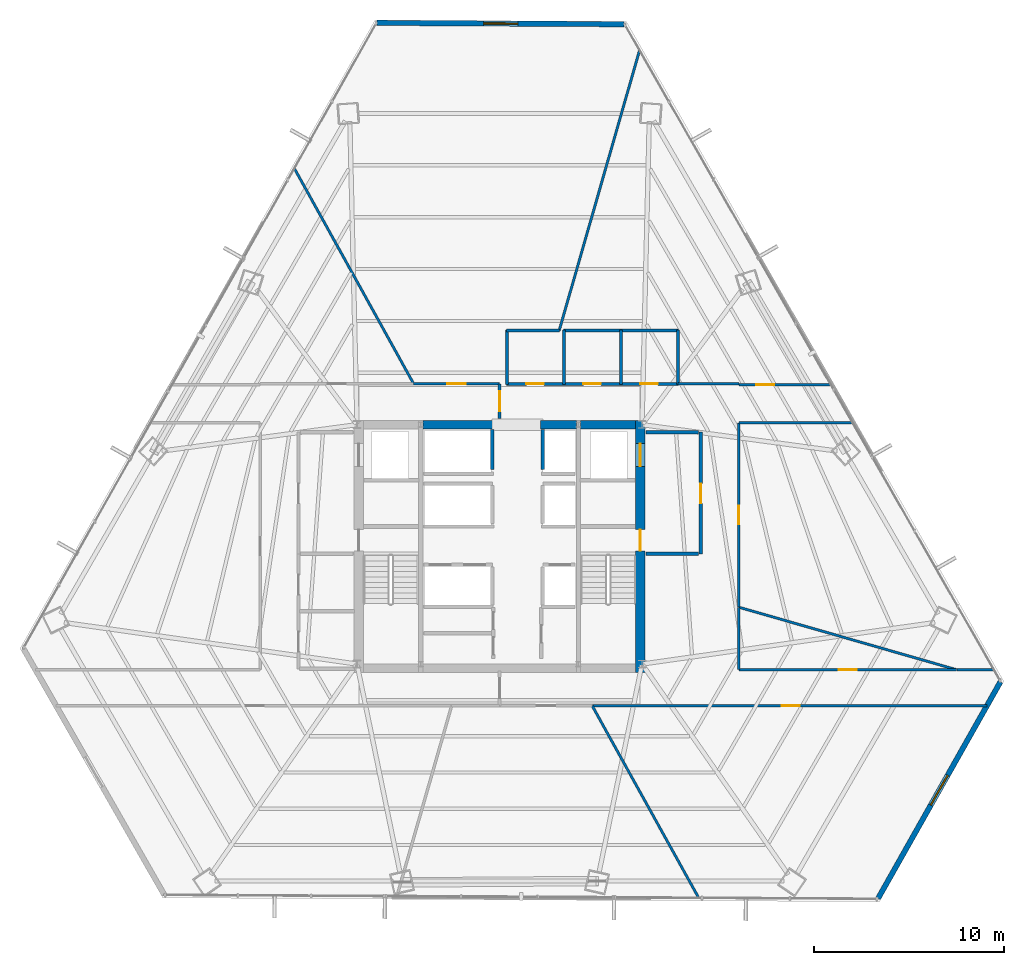
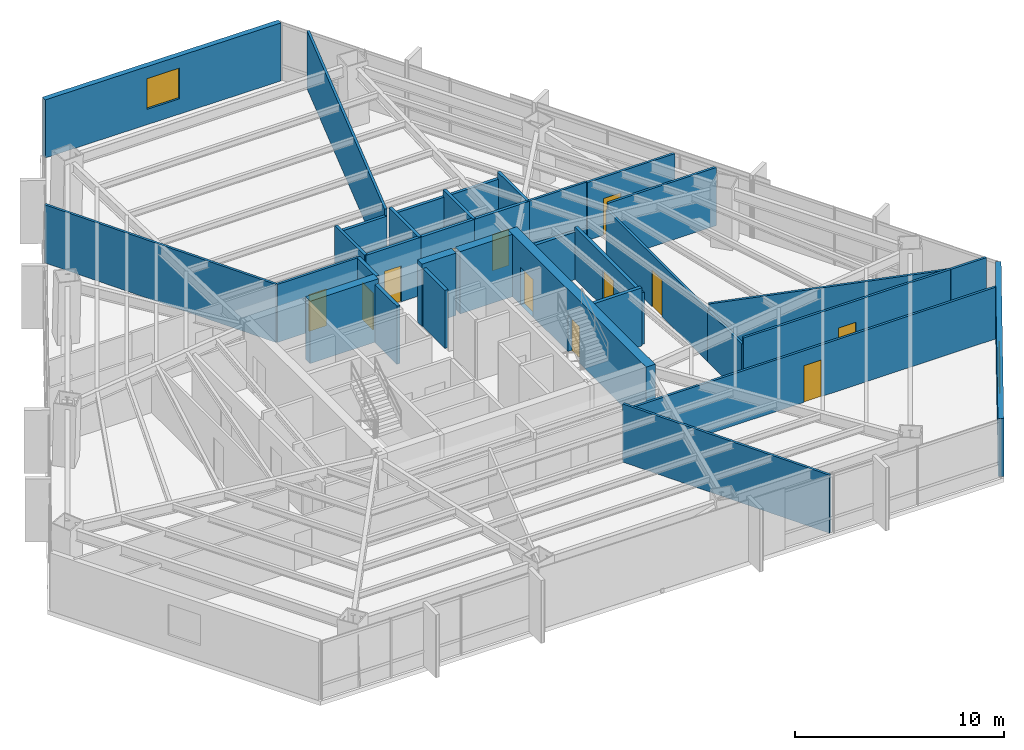
# One storey, part 32 of 36: 35 walls, 12 doors, 2 windows, 14 openings.
"""IFC4 building model written with IfcOpenShell, lengths in metres."""

from ifc_helpers import new_model, si_unit, direction, frame, frame_2d, origin, place, context, subcontext, project, spatial, rectangle, extrude, material, layer, layer_set, type_object, element, fill, save


model = new_model("IFC4")

# Units and contexts
model_context = context("Model", 3, precision=1e-05, world=origin(), true_north=direction((0.0, 1.0)))
body_context = subcontext(model_context, "Body", "Model", "MODEL_VIEW")
ifc_project = project(units=[si_unit("LENGTHUNIT", "METRE"), si_unit("AREAUNIT", "SQUARE_METRE"), si_unit("VOLUMEUNIT", "CUBIC_METRE"), si_unit("PLANEANGLEUNIT", "RADIAN"), si_unit("MASSUNIT", "GRAM", prefix="KILO")], contexts=[model_context])

# Site, building, storey
site_placement = place(None, origin())
site = spatial("IfcSite", under=ifc_project, at=site_placement, CompositionType="ELEMENT")
building_placement = place(site_placement, origin())
building = spatial("IfcBuilding", under=site, at=building_placement, Name="Caelisora Broadcast Tower", CompositionType="ELEMENT")
storey_placement = place(building_placement, frame((0.0, 0.0, 83.5)))
storey = spatial("IfcBuildingStorey", under=building, at=storey_placement, Name="L21", CompositionType="ELEMENT", Elevation=83.5)

# Wall, openings, doors
ifc_material_1 = material(Name="Concrete 50 MPa (AS 3600 S50)", Category="concrete")
ifc_layer_1 = layer(ifc_material_1, 0.5, Name="Concrete 50 MPa (AS 3600 S50)")
ifc_layer_set_1 = layer_set([ifc_layer_1], Name="Concrete 50 MPa (AS 3600 S50)")
wall_type_1 = type_object("IfcWallType", Name="CW2", PredefinedType="SHEAR", material=ifc_layer_set_1)
wall_1_placement = place(storey_placement, frame((45.409912109375, 16.949951171875, 0.0), z_axis=(0.0, 0.0, 1.0), x_axis=(0.0, 1.0, 0.0)))
wall_1 = element("IfcWall", 1, at=wall_1_placement, inside=storey, type_object=wall_type_1, Name="L21 core shear wall CW2", PredefinedType="SHEAR", context=body_context, shape_type="SweptSolid", body=[
    extrude(rectangle(XDim=13.275146484375, YDim=0.5, at=frame_2d((6.6376953125, 0.0))), origin(), (0.0, 0.0, 1.0), 3.64990234375),
])
opening_1_placement = place(wall_1_placement, frame((6.39990234375, 0.0, 0.0)))
opening_1 = element("IfcOpeningElement", 2, at=opening_1_placement, cuts=wall_1, Name="Opening FD04", PredefinedType="OPENING", context=body_context, shape_type="SweptSolid", body=[
    extrude(rectangle(XDim=1.1201171875, YDim=2.14990234375, at=frame_2d((0.56005859375, 1.074951171875))), frame((0.0, 0.261962890625, 0.0), z_axis=(0.0, -1.0, 0.0), x_axis=(1.0, 0.0, 0.0)), (0.0, 0.0, 1.0), 0.52392578125),
])
opening_2_placement = place(wall_1_placement, frame((10.85009765625, 0.0, 0.0)))
opening_2 = element("IfcOpeningElement", 3, at=opening_2_placement, cuts=wall_1, Name="Opening LD04", PredefinedType="OPENING", context=body_context, shape_type="SweptSolid", body=[
    extrude(rectangle(XDim=1.199951171875, YDim=2.199951171875, at=frame_2d((0.60009765625, 1.10009765625))), frame((0.0, 0.261962890625, 0.0), z_axis=(0.0, -1.0, 0.0), x_axis=(1.0, 0.0, 0.0)), (0.0, 0.0, 1.0), 0.52392578125),
])
ifc_material_2 = material(Name="Pressurised Fire-Isolated Stair Door", Category="steel")
door_type_1 = type_object("IfcDoorType", Name="FD04", OperationType="NOTDEFINED", PredefinedType="DOOR", material=ifc_material_2)
door_1_placement = place(opening_1_placement, origin())
door_1 = element("IfcDoor", 4, at=door_1_placement, inside=storey, type_object=door_type_1, Name="L21 door FD04 (L21-DR-ST2)", OperationType="SINGLE_SWING_RIGHT", OverallHeight=2.14990234375, OverallWidth=1.1201171875, PredefinedType="DOOR", context=body_context, shape_type="SweptSolid", body=[
    extrude(rectangle(XDim=1.1201171875, YDim=2.14990234375, at=frame_2d((0.56005859375, 1.074951171875))), frame((0.0, 0.02490234375, 0.0), z_axis=(0.0, -1.0, 0.0), x_axis=(1.0, 0.0, 0.0)), (0.0, 0.0, 1.0), 0.050048828125),
])
fill(opening_1, door_1)
ifc_material_3 = material(Name="Emergency Firefighting Lift Sliding Landing Door", Category="steel")
door_type_2 = type_object("IfcDoorType", Name="LD04", OperationType="NOTDEFINED", PredefinedType="DOOR", material=ifc_material_3)
door_2_placement = place(opening_2_placement, origin())
door_2 = element("IfcDoor", 5, at=door_2_placement, inside=storey, type_object=door_type_2, Name="L21 door LD04 (L21-LD-FFL2)", OperationType="SLIDING_TO_RIGHT", OverallHeight=2.199951171875, OverallWidth=1.199951171875, PredefinedType="DOOR", context=body_context, shape_type="SweptSolid", body=[
    extrude(rectangle(XDim=1.199951171875, YDim=2.199951171875, at=frame_2d((0.60009765625, 1.10009765625))), frame((0.0, 0.02490234375, 0.0), z_axis=(0.0, -1.0, 0.0), x_axis=(1.0, 0.0, 0.0)), (0.0, 0.0, 1.0), 0.050048828125),
])
fill(opening_2, door_2)

# Walls
ifc_layer_2 = layer(ifc_material_1, 0.449951171875, Name="Concrete 50 MPa (AS 3600 S50)")
ifc_layer_set_2 = layer_set([ifc_layer_2], Name="Concrete 50 MPa (AS 3600 S50)")
wall_type_2 = type_object("IfcWallType", Name="CW5", PredefinedType="SHEAR", material=ifc_layer_set_2)
wall_2_placement = place(storey_placement, frame((33.9599609375, 30.0, 0.0), z_axis=(0.0, 0.0, 1.0), x_axis=(1.0, 0.0, 0.0)))
element("IfcWall", 6, at=wall_2_placement, inside=storey, type_object=wall_type_2, Name="L21 core shear wall CW5", PredefinedType="SHEAR", context=body_context, shape_type="SweptSolid", body=[
    extrude(rectangle(XDim=3.780029296875, YDim=0.449951171875, at=frame_2d((1.89013671875, 0.0))), origin(), (0.0, 0.0, 1.0), 3.64990234375),
])
wall_3_placement = place(storey_placement, frame((40.159912109375, 30.0, 0.0), z_axis=(0.0, 0.0, 1.0), x_axis=(1.0, 0.0, 0.0)))
element("IfcWall", 7, at=wall_3_placement, inside=storey, type_object=wall_type_2, Name="L21 core shear wall CW5", PredefinedType="SHEAR", context=body_context, shape_type="SweptSolid", body=[
    extrude(rectangle(XDim=1.880126953125, YDim=0.449951171875, at=frame_2d((0.93994140625, 0.0))), origin(), (0.0, 0.0, 1.0), 3.64990234375),
])
wall_4_placement = place(storey_placement, frame((42.260009765625, 30.0, 0.0), z_axis=(0.0, 0.0, 1.0), x_axis=(1.0, 0.0, 0.0)))
element("IfcWall", 8, at=wall_4_placement, inside=storey, type_object=wall_type_2, Name="L21 core shear wall CW5", PredefinedType="SHEAR", context=body_context, shape_type="SweptSolid", body=[
    extrude(rectangle(XDim=2.89990234375, YDim=0.449951171875, at=frame_2d((1.449951171875, 0.0))), origin(), (0.0, 0.0, 1.0), 3.64990234375),
])

# Wall, opening, window
ifc_material_4 = material(Name="Insulated Terracotta Spandrel Wall System", Category="masonry")
ifc_layer_3 = layer(ifc_material_4, 0.280029296875, Name="Insulated Terracotta Spandrel Wall System")
ifc_layer_set_3 = layer_set([ifc_layer_3], Name="Insulated Terracotta Spandrel Wall System")
wall_type_3 = type_object("IfcWallType", Name="EW1", PredefinedType="STANDARD", material=ifc_layer_set_3)
wall_5_placement = place(storey_placement, frame((64.3623046875, 16.4638671875, 0.0), z_axis=(0.0, 0.0, 1.0), x_axis=(-0.491738955239, -0.87074267146, 0.0)))
wall_5 = element("IfcWall", 9, at=wall_5_placement, inside=storey, type_object=wall_type_3, Name="L21 exterior envelope wall EW1", PredefinedType="STANDARD", context=body_context, shape_type="SweptSolid", body=[
    extrude(rectangle(XDim=13.09326171875, YDim=0.280029296875, at=frame_2d((6.546630859375, 0.0))), origin(), (0.0, 0.0, 1.0), 3.39990234375),
])
opening_3_placement = place(wall_5_placement, frame((5.64990234375, 0.0, 0.89990234375)))
opening_3 = element("IfcOpeningElement", 10, at=opening_3_placement, cuts=wall_5, Name="Opening W01", PredefinedType="OPENING", context=body_context, shape_type="SweptSolid", body=[
    extrude(rectangle(XDim=1.800048828125, YDim=1.800048828125, at=frame_2d((0.89990234375, 0.89990234375))), frame((0.0, 0.152099609375, 0.0), z_axis=(0.0, -1.0, 0.0), x_axis=(1.0, 0.0, 0.0)), (0.0, 0.0, 1.0), 0.303955078125),
])
ifc_material_5 = material(Name="Double Glazed Terracotta-Framed Vision Window", Category="glass")
window_type = type_object("IfcWindowType", Name="W01", PartitioningType="SINGLE_PANEL", PredefinedType="WINDOW", material=ifc_material_5)
window_1_placement = place(opening_3_placement, origin())
window_1 = element("IfcWindow", 11, at=window_1_placement, inside=storey, type_object=window_type, Name="L21 window W01 (L21-WN-CH0)", OverallHeight=1.800048828125, OverallWidth=1.800048828125, PartitioningType="SINGLE_PANEL", PredefinedType="WINDOW", context=body_context, shape_type="SweptSolid", body=[
    extrude(rectangle(XDim=1.800048828125, YDim=1.800048828125, at=frame_2d((0.89990234375, 0.89990234375))), frame((0.0, 0.030029296875, 0.0), z_axis=(0.0, -1.0, 0.0), x_axis=(1.0, 0.0, 0.0)), (0.0, 0.0, 1.0), 0.06005859375),
])
fill(opening_3, window_1)

wall_6_placement = place(storey_placement, frame((31.56298828125, 51.145751953125, 0.0), z_axis=(0.0, 0.0, 1.0), x_axis=(0.999984442801, -0.005578006527, 0.0)))
wall_6 = element("IfcWall", 12, at=wall_6_placement, inside=storey, type_object=wall_type_3, Name="L21 exterior envelope wall EW1", PredefinedType="STANDARD", context=body_context, shape_type="SweptSolid", body=[
    extrude(rectangle(XDim=12.999267578125, YDim=0.280029296875, at=frame_2d((6.49951171875, 0.0))), origin(), (0.0, 0.0, 1.0), 3.39990234375),
])
opening_4_placement = place(wall_6_placement, frame((5.60009765625, 0.0, 0.89990234375)))
opening_4 = element("IfcOpeningElement", 13, at=opening_4_placement, cuts=wall_6, Name="Opening W01", PredefinedType="OPENING", context=body_context, shape_type="SweptSolid", body=[
    extrude(rectangle(XDim=1.800048828125, YDim=1.800048828125, at=frame_2d((0.89990234375, 0.89990234375))), frame((0.0, 0.152099609375, 0.0), z_axis=(0.0, -1.0, 0.0), x_axis=(1.0, 0.0, 0.0)), (0.0, 0.0, 1.0), 0.303955078125),
])
window_2_placement = place(opening_4_placement, origin())
window_2 = element("IfcWindow", 14, at=window_2_placement, inside=storey, type_object=window_type, Name="L21 window W01 (L21-WN-CH8)", OverallHeight=1.800048828125, OverallWidth=1.800048828125, PartitioningType="SINGLE_PANEL", PredefinedType="WINDOW", context=body_context, shape_type="SweptSolid", body=[
    extrude(rectangle(XDim=1.800048828125, YDim=1.800048828125, at=frame_2d((0.89990234375, 0.89990234375))), frame((0.0, 0.030029296875, 0.0), z_axis=(0.0, -1.0, 0.0), x_axis=(1.0, 0.0, 0.0)), (0.0, 0.0, 1.0), 0.06005859375),
])
fill(opening_4, window_2)

# Walls
ifc_material_6 = material(Name="Fire-Rated Gypsum Shaft and Compartment Wall", Category="gypsum")
ifc_layer_4 = layer(ifc_material_6, 0.179931640625, Name="Fire-Rated Gypsum Shaft and Compartment Wall")
ifc_layer_set_4 = layer_set([ifc_layer_4], Name="Fire-Rated Gypsum Shaft and Compartment Wall")
wall_type_4 = type_object("IfcWallType", Name="PW2", PredefinedType="PARTITIONING", material=ifc_layer_set_4)
for number, where, z_axis, x_axis, name in (
    (15, (37.6201171875, 27.639892578125, 0.0), (0.0, 0.0, 1.0), (0.0, 1.0, 0.0), "L21 fire compartment wall PW2"),
    (16, (40.280029296875, 27.639892578125, 0.0), (0.0, 0.0, 1.0), (0.0, 1.0, 0.0), "L21 fire compartment wall PW2"),
):
    element("IfcWall", number, at=place(storey_placement, frame(where, z_axis=z_axis, x_axis=x_axis)), inside=storey, type_object=wall_type_4, Name=name, PredefinedType="PARTITIONING", context=body_context, shape_type="SweptSolid", body=[
        extrude(rectangle(XDim=2.110107421875, YDim=0.179931640625, at=frame_2d((1.05517578125, 0.0))), origin(), (0.0, 0.0, 1.0), 3.39990234375),
    ])

# Wall, opening, door
wall_7_placement = place(storey_placement, frame((48.580078125, 23.199951171875, 0.0), z_axis=(0.0, 0.0, 1.0), x_axis=(0.0, 1.0, 0.0)))
wall_7 = element("IfcWall", 17, at=wall_7_placement, inside=storey, type_object=wall_type_4, Name="L21 fire compartment wall PW2", PredefinedType="PARTITIONING", context=body_context, shape_type="SweptSolid", body=[
    extrude(rectangle(XDim=6.400146484375, YDim=0.179931640625, at=frame_2d((3.2001953125, 0.0))), origin(), (0.0, 0.0, 1.0), 3.0263671875),
])
opening_5_placement = place(wall_7_placement, frame((2.64990234375, 0.0, 0.0)))
opening_5 = element("IfcOpeningElement", 18, at=opening_5_placement, cuts=wall_7, Name="Opening FD02", PredefinedType="OPENING", context=body_context, shape_type="SweptSolid", body=[
    extrude(rectangle(XDim=1.050048828125, YDim=2.14990234375, at=frame_2d((0.52490234375, 1.074951171875))), frame((0.0, 0.10205078125, 0.0), z_axis=(0.0, -1.0, 0.0), x_axis=(1.0, 0.0, 0.0)), (0.0, 0.0, 1.0), 0.203857421875),
])
ifc_material_7 = material(Name="Single-Leaf Steel Fire Lobby Door", Category="steel")
door_type_3 = type_object("IfcDoorType", Name="FD02", OperationType="NOTDEFINED", PredefinedType="DOOR", material=ifc_material_7)
door_3_placement = place(opening_5_placement, origin())
door_3 = element("IfcDoor", 19, at=door_3_placement, inside=storey, type_object=door_type_3, Name="L21 door FD02 (L21-DR-P04D1)", OperationType="SINGLE_SWING_LEFT", OverallHeight=2.14990234375, OverallWidth=1.050048828125, PredefinedType="DOOR", context=body_context, shape_type="SweptSolid", body=[
    extrude(rectangle(XDim=1.050048828125, YDim=2.14990234375, at=frame_2d((0.52490234375, 1.074951171875))), frame((0.0, 0.02490234375, 0.0), z_axis=(0.0, -1.0, 0.0), x_axis=(1.0, 0.0, 0.0)), (0.0, 0.0, 1.0), 0.050048828125),
])
fill(opening_5, door_3)

# Walls
wall_8_placement = place(storey_placement, frame((45.719970703125, 23.199951171875, 0.0), z_axis=(0.0, 0.0, 1.0), x_axis=(1.0, 0.0, 0.0)))
element("IfcWall", 20, at=wall_8_placement, inside=storey, type_object=wall_type_4, Name="L21 fire compartment wall PW2", PredefinedType="PARTITIONING", context=body_context, shape_type="SweptSolid", body=[
    extrude(rectangle(XDim=2.760009765625, YDim=0.179931640625, at=frame_2d((1.3798828125, 0.0))), origin(), (0.0, 0.0, 1.0), 3.39990234375),
])
wall_9_placement = place(storey_placement, frame((45.719970703125, 29.60009765625, 0.0), z_axis=(0.0, 0.0, 1.0), x_axis=(1.0, 0.0, 0.0)))
element("IfcWall", 21, at=wall_9_placement, inside=storey, type_object=wall_type_4, Name="L21 fire compartment wall PW2", PredefinedType="PARTITIONING", context=body_context, shape_type="SweptSolid", body=[
    extrude(rectangle(XDim=2.760009765625, YDim=0.179931640625, at=frame_2d((1.3798828125, 0.0))), origin(), (0.0, 0.0, 1.0), 2.78271484375),
])

# Wall, opening, door
wall_10_placement = place(storey_placement, frame((38.0, 30.320068359375, 0.0), z_axis=(0.0, 0.0, 1.0), x_axis=(0.0, 1.0, 0.0)))
wall_10 = element("IfcWall", 22, at=wall_10_placement, inside=storey, type_object=wall_type_4, Name="L21 fire compartment wall PW2", PredefinedType="PARTITIONING", context=body_context, shape_type="SweptSolid", body=[
    extrude(rectangle(XDim=1.824951171875, YDim=0.179931640625, at=frame_2d((0.91259765625, 0.0))), origin(), (0.0, 0.0, 1.0), 3.39990234375),
])
opening_6_placement = place(wall_10_placement, frame((0.387939453125, 0.0, 0.0)))
opening_6 = element("IfcOpeningElement", 23, at=opening_6_placement, cuts=wall_10, Name="Opening FD02", PredefinedType="OPENING", context=body_context, shape_type="SweptSolid", body=[
    extrude(rectangle(XDim=1.050048828125, YDim=2.14990234375, at=frame_2d((0.52490234375, 1.074951171875))), frame((0.0, 0.10205078125, 0.0), z_axis=(0.0, -1.0, 0.0), x_axis=(1.0, 0.0, 0.0)), (0.0, 0.0, 1.0), 0.203857421875),
])
door_4_placement = place(opening_6_placement, origin())
door_4 = element("IfcDoor", 24, at=door_4_placement, inside=storey, type_object=door_type_3, Name="L21 door FD02 (L21-DR-P50D1)", OperationType="SINGLE_SWING_RIGHT", OverallHeight=2.14990234375, OverallWidth=1.050048828125, PredefinedType="DOOR", context=body_context, shape_type="SweptSolid", body=[
    extrude(rectangle(XDim=1.050048828125, YDim=2.14990234375, at=frame_2d((0.52490234375, 1.074951171875))), frame((0.0, 0.02490234375, 0.0), z_axis=(0.0, -1.0, 0.0), x_axis=(1.0, 0.0, 0.0)), (0.0, 0.0, 1.0), 0.050048828125),
])
fill(opening_6, door_4)

ifc_material_8 = material(Name="Acoustic Steel-Stud Plasterboard Partition", Category="gypsum")
ifc_layer_5 = layer(ifc_material_8, 0.1298828125, Name="Acoustic Steel-Stud Plasterboard Partition")
ifc_layer_set_5 = layer_set([ifc_layer_5], Name="Acoustic Steel-Stud Plasterboard Partition")
wall_type_5 = type_object("IfcWallType", Name="PW3", PredefinedType="PARTITIONING", material=ifc_layer_set_5)
wall_11_placement = place(storey_placement, frame((42.885009765625, 15.199951171875, 0.0), z_axis=(0.0, 0.0, 1.0), x_axis=(1.0, 0.0, 0.0)))
wall_11 = element("IfcWall", 25, at=wall_11_placement, inside=storey, type_object=wall_type_5, Name="L21 internal partition PW3", PredefinedType="PARTITIONING", context=body_context, shape_type="SweptSolid", body=[
    extrude(rectangle(XDim=20.769775390625, YDim=0.1298828125, at=frame_2d((10.384765625, 0.0))), origin(), (0.0, 0.0, 1.0), 3.0263671875),
])
opening_7_placement = place(wall_11_placement, frame((9.95703125, 0.0, 0.0)))
opening_7 = element("IfcOpeningElement", 26, at=opening_7_placement, cuts=wall_11, Name="Opening D01", PredefinedType="OPENING", context=body_context, shape_type="SweptSolid", body=[
    extrude(rectangle(XDim=0.9599609375, YDim=2.14990234375, at=frame_2d((0.47998046875, 1.074951171875))), frame((0.0, 0.076904296875, 0.0), z_axis=(0.0, -1.0, 0.0), x_axis=(1.0, 0.0, 0.0)), (0.0, 0.0, 1.0), 0.15380859375),
])
ifc_material_9 = material(Name="Solid-Core Timber Acoustic Office Door", Category="wood")
door_type_4 = type_object("IfcDoorType", Name="D01", OperationType="NOTDEFINED", PredefinedType="DOOR", material=ifc_material_9)
door_5_placement = place(opening_7_placement, origin())
door_5 = element("IfcDoor", 27, at=door_5_placement, inside=storey, type_object=door_type_4, Name="L21 door D01 (L21-DR-P28D1)", OperationType="SINGLE_SWING_LEFT", OverallHeight=2.14990234375, OverallWidth=0.9599609375, PredefinedType="DOOR", context=body_context, shape_type="SweptSolid", body=[
    extrude(rectangle(XDim=0.9599609375, YDim=2.14990234375, at=frame_2d((0.47998046875, 1.074951171875))), frame((0.0, 0.02490234375, 0.0), z_axis=(0.0, -1.0, 0.0), x_axis=(1.0, 0.0, 0.0)), (0.0, 0.0, 1.0), 0.050048828125),
])
fill(opening_7, door_5)

# Walls
wall_12_placement = place(storey_placement, frame((41.14111328125, 34.955078125, 0.0), z_axis=(0.0, 0.0, 1.0), x_axis=(0.27567644494, 0.961250486453, 0.0)))
element("IfcWall", 28, at=wall_12_placement, inside=storey, type_object=wall_type_5, Name="L21 internal partition PW3", PredefinedType="PARTITIONING", context=body_context, shape_type="SweptSolid", body=[
    extrude(rectangle(XDim=15.35546875, YDim=0.1298828125, at=frame_2d((7.677734375, 0.0))), origin(), (0.0, 0.0, 1.0), 3.39990234375),
])
wall_13_placement = place(storey_placement, frame((27.20166015625, 43.48681640625, 0.0), z_axis=(0.0, 0.0, 1.0), x_axis=(0.484485627927, -0.874799220583, 0.0)))
element("IfcWall", 29, at=wall_13_placement, inside=storey, type_object=wall_type_5, Name="L21 internal partition PW3", PredefinedType="PARTITIONING", context=body_context, shape_type="SweptSolid", body=[
    extrude(rectangle(XDim=12.95458984375, YDim=0.1298828125, at=frame_2d((6.477294921875, 0.0))), origin(), (0.0, 0.0, 1.0), 3.39990234375),
])
wall_14_placement = place(storey_placement, frame((50.60498046875, 20.388916015625, 0.0), z_axis=(0.0, 0.0, 1.0), x_axis=(0.961158846522, -0.27599578213, 0.0)))
element("IfcWall", 30, at=wall_14_placement, inside=storey, type_object=wall_type_5, Name="L21 internal partition PW3", PredefinedType="PARTITIONING", context=body_context, shape_type="SweptSolid", body=[
    extrude(rectangle(XDim=11.91259765625, YDim=0.1298828125, at=frame_2d((5.956298828125, 0.0))), origin(), (0.0, 0.0, 1.0), 3.39990234375),
])
wall_15_placement = place(storey_placement, frame((42.882080078125, 15.196044921875, 0.0), z_axis=(0.0, 0.0, 1.0), x_axis=(0.484852065394, -0.874596178063, 0.0)))
element("IfcWall", 31, at=wall_15_placement, inside=storey, type_object=wall_type_5, Name="L21 internal partition PW3", PredefinedType="PARTITIONING", context=body_context, shape_type="SweptSolid", body=[
    extrude(rectangle(XDim=11.561767578125, YDim=0.1298828125, at=frame_2d((5.78076171875, 0.0))), origin(), (0.0, 0.0, 1.0), 3.39990234375),
])

# Wall, opening, door
wall_16_placement = place(storey_placement, frame((62.054931640625, 17.10009765625, 0.0), z_axis=(0.0, 0.0, 1.0), x_axis=(-1.0, 0.0, 0.0)))
wall_16 = element("IfcWall", 32, at=wall_16_placement, inside=storey, type_object=wall_type_5, Name="L21 internal partition PW3", PredefinedType="PARTITIONING", context=body_context, shape_type="SweptSolid", body=[
    extrude(rectangle(XDim=11.449951171875, YDim=0.1298828125, at=frame_2d((5.72509765625, 0.0))), origin(), (0.0, 0.0, 1.0), 3.39990234375),
])
opening_8_placement = place(wall_16_placement, frame((5.2451171875, 0.0, 0.0)))
opening_8 = element("IfcOpeningElement", 33, at=opening_8_placement, cuts=wall_16, Name="Opening D01", PredefinedType="OPENING", context=body_context, shape_type="SweptSolid", body=[
    extrude(rectangle(XDim=0.9599609375, YDim=2.14990234375, at=frame_2d((0.47998046875, 1.074951171875))), frame((0.0, 0.076904296875, 0.0), z_axis=(0.0, -1.0, 0.0), x_axis=(1.0, 0.0, 0.0)), (0.0, 0.0, 1.0), 0.15380859375),
])
door_6_placement = place(opening_8_placement, origin())
door_6 = element("IfcDoor", 34, at=door_6_placement, inside=storey, type_object=door_type_4, Name="L21 door D01 (L21-DR-P35D1)", OperationType="SINGLE_SWING_LEFT", OverallHeight=2.14990234375, OverallWidth=0.9599609375, PredefinedType="DOOR", context=body_context, shape_type="SweptSolid", body=[
    extrude(rectangle(XDim=0.9599609375, YDim=2.14990234375, at=frame_2d((0.47998046875, 1.074951171875))), frame((0.0, 0.02490234375, 0.0), z_axis=(0.0, -1.0, 0.0), x_axis=(1.0, 0.0, 0.0)), (0.0, 0.0, 1.0), 0.050048828125),
])
fill(opening_8, door_6)

wall_17_placement = place(storey_placement, frame((50.60009765625, 20.39501953125, 0.0), z_axis=(0.0, 0.0, 1.0), x_axis=(0.0, 1.0, 0.0)))
wall_17 = element("IfcWall", 35, at=wall_17_placement, inside=storey, type_object=wall_type_5, Name="L21 internal partition PW3", PredefinedType="PARTITIONING", context=body_context, shape_type="SweptSolid", body=[
    extrude(rectangle(XDim=9.699951171875, YDim=0.1298828125, at=frame_2d((4.85009765625, 0.0))), origin(), (0.0, 0.0, 1.0), 3.0263671875),
])
opening_9_placement = place(wall_17_placement, frame((4.3701171875, 0.0, 0.0)))
opening_9 = element("IfcOpeningElement", 36, at=opening_9_placement, cuts=wall_17, Name="Opening D01", PredefinedType="OPENING", context=body_context, shape_type="SweptSolid", body=[
    extrude(rectangle(XDim=0.9599609375, YDim=2.14990234375, at=frame_2d((0.47998046875, 1.074951171875))), frame((0.0, 0.076904296875, 0.0), z_axis=(0.0, -1.0, 0.0), x_axis=(1.0, 0.0, 0.0)), (0.0, 0.0, 1.0), 0.15380859375),
])
door_7_placement = place(opening_9_placement, origin())
door_7 = element("IfcDoor", 37, at=door_7_placement, inside=storey, type_object=door_type_4, Name="L21 door D01 (L21-DR-P37D1)", OperationType="SINGLE_SWING_RIGHT", OverallHeight=2.14990234375, OverallWidth=0.9599609375, PredefinedType="DOOR", context=body_context, shape_type="SweptSolid", body=[
    extrude(rectangle(XDim=0.9599609375, YDim=2.14990234375, at=frame_2d((0.47998046875, 1.074951171875))), frame((0.0, 0.02490234375, 0.0), z_axis=(0.0, -1.0, 0.0), x_axis=(1.0, 0.0, 0.0)), (0.0, 0.0, 1.0), 0.050048828125),
])
fill(opening_9, door_7)

# Wall
wall_18_placement = place(storey_placement, frame((50.60498046875, 30.10009765625, 0.0), z_axis=(0.0, 0.0, 1.0), x_axis=(1.0, 0.0, 0.0)))
element("IfcWall", 38, at=wall_18_placement, inside=storey, type_object=wall_type_5, Name="L21 internal partition PW3", PredefinedType="PARTITIONING", context=body_context, shape_type="SweptSolid", body=[
    extrude(rectangle(XDim=5.99169921875, YDim=0.1298828125, at=frame_2d((2.995849609375, 0.0))), origin(), (0.0, 0.0, 1.0), 3.39990234375),
])

# Wall, opening, door
wall_19_placement = place(storey_placement, frame((50.60498046875, 32.10009765625, 0.0), z_axis=(0.0, 0.0, 1.0), x_axis=(1.0, 0.0, 0.0)))
wall_19 = element("IfcWall", 39, at=wall_19_placement, inside=storey, type_object=wall_type_5, Name="L21 internal partition PW3", PredefinedType="PARTITIONING", context=body_context, shape_type="SweptSolid", body=[
    extrude(rectangle(XDim=4.847412109375, YDim=0.1298828125, at=frame_2d((2.423828125, 0.0))), origin(), (0.0, 0.0, 1.0), 3.39990234375),
])
opening_10_placement = place(wall_19_placement, frame((0.89990234375, 0.0, 0.0)))
opening_10 = element("IfcOpeningElement", 40, at=opening_10_placement, cuts=wall_19, Name="Opening D01", PredefinedType="OPENING", context=body_context, shape_type="SweptSolid", body=[
    extrude(rectangle(XDim=0.9599609375, YDim=2.14990234375, at=frame_2d((0.47998046875, 1.074951171875))), frame((0.0, 0.076904296875, 0.0), z_axis=(0.0, -1.0, 0.0), x_axis=(1.0, 0.0, 0.0)), (0.0, 0.0, 1.0), 0.15380859375),
])
door_8_placement = place(opening_10_placement, origin())
door_8 = element("IfcDoor", 41, at=door_8_placement, inside=storey, type_object=door_type_4, Name="L21 door D01 (L21-DR-P41D1)", OperationType="SINGLE_SWING_RIGHT", OverallHeight=2.14990234375, OverallWidth=0.9599609375, PredefinedType="DOOR", context=body_context, shape_type="SweptSolid", body=[
    extrude(rectangle(XDim=0.9599609375, YDim=2.14990234375, at=frame_2d((0.47998046875, 1.074951171875))), frame((0.0, 0.02490234375, 0.0), z_axis=(0.0, -1.0, 0.0), x_axis=(1.0, 0.0, 0.0)), (0.0, 0.0, 1.0), 0.050048828125),
])
fill(opening_10, door_8)

wall_20_placement = place(storey_placement, frame((33.485107421875, 32.14990234375, 0.0), z_axis=(0.0, 0.0, 1.0), x_axis=(1.0, 0.0, 0.0)))
wall_20 = element("IfcWall", 42, at=wall_20_placement, inside=storey, type_object=wall_type_5, Name="L21 internal partition PW3", PredefinedType="PARTITIONING", context=body_context, shape_type="SweptSolid", body=[
    extrude(rectangle(XDim=4.510009765625, YDim=0.1298828125, at=frame_2d((2.2548828125, 0.0))), origin(), (0.0, 0.0, 1.0), 3.39990234375),
])
opening_11_placement = place(wall_20_placement, frame((1.77490234375, 0.0, 0.0)))
opening_11 = element("IfcOpeningElement", 43, at=opening_11_placement, cuts=wall_20, Name="Opening D01", PredefinedType="OPENING", context=body_context, shape_type="SweptSolid", body=[
    extrude(rectangle(XDim=0.9599609375, YDim=2.14990234375, at=frame_2d((0.47998046875, 1.074951171875))), frame((0.0, 0.076904296875, 0.0), z_axis=(0.0, -1.0, 0.0), x_axis=(1.0, 0.0, 0.0)), (0.0, 0.0, 1.0), 0.15380859375),
])
door_9_placement = place(opening_11_placement, origin())
door_9 = element("IfcDoor", 44, at=door_9_placement, inside=storey, type_object=door_type_4, Name="L21 door D01 (L21-DR-P44D1)", OperationType="SINGLE_SWING_RIGHT", OverallHeight=2.14990234375, OverallWidth=0.9599609375, PredefinedType="DOOR", context=body_context, shape_type="SweptSolid", body=[
    extrude(rectangle(XDim=0.9599609375, YDim=2.14990234375, at=frame_2d((0.47998046875, 1.074951171875))), frame((0.0, 0.02490234375, 0.0), z_axis=(0.0, -1.0, 0.0), x_axis=(1.0, 0.0, 0.0)), (0.0, 0.0, 1.0), 0.050048828125),
])
fill(opening_11, door_9)

# Walls
wall_21_placement = place(storey_placement, frame((50.60009765625, 17.10498046875, 0.0), z_axis=(0.0, 0.0, 1.0), x_axis=(0.0, 1.0, 0.0)))
element("IfcWall", 45, at=wall_21_placement, inside=storey, type_object=wall_type_5, Name="L21 internal partition PW3", PredefinedType="PARTITIONING", context=body_context, shape_type="SweptSolid", body=[
    extrude(rectangle(XDim=3.280029296875, YDim=0.1298828125, at=frame_2d((1.64013671875, 0.0))), origin(), (0.0, 0.0, 1.0), 3.0263671875),
])
wall_22_placement = place(storey_placement, frame((47.405029296875, 32.14990234375, 0.0), z_axis=(0.0, 0.0, 1.0), x_axis=(1.0, 0.0, 0.0)))
element("IfcWall", 46, at=wall_22_placement, inside=storey, type_object=wall_type_5, Name="L21 internal partition PW3", PredefinedType="PARTITIONING", context=body_context, shape_type="SweptSolid", body=[
    extrude(rectangle(XDim=3.18994140625, YDim=0.1298828125, at=frame_2d((1.594970703125, 0.0))), origin(), (0.0, 0.0, 1.0), 3.39990234375),
])
wall_23_placement = place(storey_placement, frame((62.06494140625, 17.10009765625, 0.0), z_axis=(0.0, 0.0, 1.0), x_axis=(1.0, 0.0, 0.0)))
element("IfcWall", 47, at=wall_23_placement, inside=storey, type_object=wall_type_5, Name="L21 internal partition PW3", PredefinedType="PARTITIONING", context=body_context, shape_type="SweptSolid", body=[
    extrude(rectangle(XDim=1.968994140625, YDim=0.1298828125, at=frame_2d((0.984375, 0.0))), origin(), (0.0, 0.0, 1.0), 3.39990234375),
])

# Wall, opening, door
ifc_material_10 = material(Name="Moisture-Resistant Wet Plumbing Service Wall", Category="gypsum")
ifc_layer_6 = layer(ifc_material_10, 0.159912109375, Name="Moisture-Resistant Wet Plumbing Service Wall")
ifc_layer_set_6 = layer_set([ifc_layer_6], Name="Moisture-Resistant Wet Plumbing Service Wall")
wall_type_6 = type_object("IfcWallType", Name="PW4", PredefinedType="PLUMBINGWALL", material=ifc_layer_set_6)
wall_24_placement = place(storey_placement, frame((38.375, 32.14990234375, 0.0), z_axis=(0.0, 0.0, 1.0), x_axis=(1.0, 0.0, 0.0)))
wall_24 = element("IfcWall", 48, at=wall_24_placement, inside=storey, type_object=wall_type_6, Name="L21 wet plumbing wall PW4", PredefinedType="PLUMBINGWALL", context=body_context, shape_type="SweptSolid", body=[
    extrude(rectangle(XDim=3.050048828125, YDim=0.159912109375, at=frame_2d((1.52490234375, 0.0))), origin(), (0.0, 0.0, 1.0), 3.39990234375),
])
opening_12_placement = place(wall_24_placement, frame((1.034912109375, 0.0, 0.0)))
opening_12 = element("IfcOpeningElement", 49, at=opening_12_placement, cuts=wall_24, Name="Opening D03", PredefinedType="OPENING", context=body_context, shape_type="SweptSolid", body=[
    extrude(rectangle(XDim=0.919921875, YDim=2.10009765625, at=frame_2d((0.4599609375, 1.050048828125))), frame((0.0, 0.092041015625, 0.0), z_axis=(0.0, -1.0, 0.0), x_axis=(1.0, 0.0, 0.0)), (0.0, 0.0, 1.0), 0.183837890625),
])
ifc_material_11 = material(Name="Laminate Moisture-Resistant Amenity WC Door", Category="wood")
door_type_5 = type_object("IfcDoorType", Name="D03", OperationType="NOTDEFINED", PredefinedType="DOOR", material=ifc_material_11)
door_10_placement = place(opening_12_placement, origin())
door_10 = element("IfcDoor", 50, at=door_10_placement, inside=storey, type_object=door_type_5, Name="L21 door D03 (L21-DR-P17D1)", OperationType="SINGLE_SWING_LEFT", OverallHeight=2.10009765625, OverallWidth=0.919921875, PredefinedType="DOOR", context=body_context, shape_type="SweptSolid", body=[
    extrude(rectangle(XDim=0.919921875, YDim=2.10009765625, at=frame_2d((0.4599609375, 1.050048828125))), frame((0.0, 0.02490234375, 0.0), z_axis=(0.0, -1.0, 0.0), x_axis=(1.0, 0.0, 0.0)), (0.0, 0.0, 1.0), 0.050048828125),
])
fill(opening_12, door_10)

wall_25_placement = place(storey_placement, frame((41.375, 32.14990234375, 0.0), z_axis=(0.0, 0.0, 1.0), x_axis=(1.0, 0.0, 0.0)))
wall_25 = element("IfcWall", 51, at=wall_25_placement, inside=storey, type_object=wall_type_6, Name="L21 wet plumbing wall PW4", PredefinedType="PLUMBINGWALL", context=body_context, shape_type="SweptSolid", body=[
    extrude(rectangle(XDim=3.050048828125, YDim=0.159912109375, at=frame_2d((1.52490234375, 0.0))), origin(), (0.0, 0.0, 1.0), 3.39990234375),
])
opening_13_placement = place(wall_25_placement, frame((1.034912109375, 0.0, 0.0)))
opening_13 = element("IfcOpeningElement", 52, at=opening_13_placement, cuts=wall_25, Name="Opening D03", PredefinedType="OPENING", context=body_context, shape_type="SweptSolid", body=[
    extrude(rectangle(XDim=0.919921875, YDim=2.10009765625, at=frame_2d((0.4599609375, 1.050048828125))), frame((0.0, 0.092041015625, 0.0), z_axis=(0.0, -1.0, 0.0), x_axis=(1.0, 0.0, 0.0)), (0.0, 0.0, 1.0), 0.183837890625),
])
door_11_placement = place(opening_13_placement, origin())
door_11 = element("IfcDoor", 53, at=door_11_placement, inside=storey, type_object=door_type_5, Name="L21 door D03 (L21-DR-P18D1)", OperationType="SINGLE_SWING_RIGHT", OverallHeight=2.10009765625, OverallWidth=0.919921875, PredefinedType="DOOR", context=body_context, shape_type="SweptSolid", body=[
    extrude(rectangle(XDim=0.919921875, YDim=2.10009765625, at=frame_2d((0.4599609375, 1.050048828125))), frame((0.0, 0.02490234375, 0.0), z_axis=(0.0, -1.0, 0.0), x_axis=(1.0, 0.0, 0.0)), (0.0, 0.0, 1.0), 0.050048828125),
])
fill(opening_13, door_11)

wall_26_placement = place(storey_placement, frame((44.375, 32.14990234375, 0.0), z_axis=(0.0, 0.0, 1.0), x_axis=(1.0, 0.0, 0.0)))
wall_26 = element("IfcWall", 54, at=wall_26_placement, inside=storey, type_object=wall_type_6, Name="L21 wet plumbing wall PW4", PredefinedType="PLUMBINGWALL", context=body_context, shape_type="SweptSolid", body=[
    extrude(rectangle(XDim=3.050048828125, YDim=0.159912109375, at=frame_2d((1.52490234375, 0.0))), origin(), (0.0, 0.0, 1.0), 3.39990234375),
])
opening_14_placement = place(wall_26_placement, frame((1.034912109375, 0.0, 0.0)))
opening_14 = element("IfcOpeningElement", 55, at=opening_14_placement, cuts=wall_26, Name="Opening D03", PredefinedType="OPENING", context=body_context, shape_type="SweptSolid", body=[
    extrude(rectangle(XDim=0.919921875, YDim=2.10009765625, at=frame_2d((0.4599609375, 1.050048828125))), frame((0.0, 0.092041015625, 0.0), z_axis=(0.0, -1.0, 0.0), x_axis=(1.0, 0.0, 0.0)), (0.0, 0.0, 1.0), 0.183837890625),
])
door_12_placement = place(opening_14_placement, origin())
door_12 = element("IfcDoor", 56, at=door_12_placement, inside=storey, type_object=door_type_5, Name="L21 door D03 (L21-DR-P19D1)", OperationType="SINGLE_SWING_LEFT", OverallHeight=2.10009765625, OverallWidth=0.919921875, PredefinedType="DOOR", context=body_context, shape_type="SweptSolid", body=[
    extrude(rectangle(XDim=0.919921875, YDim=2.10009765625, at=frame_2d((0.4599609375, 1.050048828125))), frame((0.0, 0.02490234375, 0.0), z_axis=(0.0, -1.0, 0.0), x_axis=(1.0, 0.0, 0.0)), (0.0, 0.0, 1.0), 0.050048828125),
])
fill(opening_14, door_12)

# Walls
for number, where, z_axis, x_axis, name in (
    (57, (41.375, 34.949951171875, 0.0), (0.0, 0.0, 1.0), (1.0, 0.0, 0.0), "L21 wet plumbing wall PW4"),
    (58, (47.425048828125, 34.949951171875, 0.0), (0.0, 0.0, 1.0), (-1.0, 0.0, 0.0), "L21 wet plumbing wall PW4"),
):
    element("IfcWall", number, at=place(storey_placement, frame(where, z_axis=z_axis, x_axis=x_axis)), inside=storey, type_object=wall_type_6, Name=name, PredefinedType="PLUMBINGWALL", context=body_context, shape_type="SweptSolid", body=[
        extrude(rectangle(XDim=3.050048828125, YDim=0.159912109375, at=frame_2d((1.52490234375, 0.0))), origin(), (0.0, 0.0, 1.0), 3.0263671875),
    ])
for number, where, z_axis, x_axis, name in (
    (59, (41.39990234375, 32.125, 0.0), (0.0, 0.0, 1.0), (0.0, 1.0, 0.0), "L21 wet plumbing wall PW4"),
    (60, (38.39990234375, 32.125, 0.0), (0.0, 0.0, 1.0), (0.0, 1.0, 0.0), "L21 wet plumbing wall PW4"),
    (61, (44.39990234375, 32.125, 0.0), (0.0, 0.0, 1.0), (0.0, 1.0, 0.0), "L21 wet plumbing wall PW4"),
    (62, (47.39990234375, 32.125, 0.0), (0.0, 0.0, 1.0), (0.0, 1.0, 0.0), "L21 wet plumbing wall PW4"),
):
    element("IfcWall", number, at=place(storey_placement, frame(where, z_axis=z_axis, x_axis=x_axis)), inside=storey, type_object=wall_type_6, Name=name, PredefinedType="PLUMBINGWALL", context=body_context, shape_type="SweptSolid", body=[
        extrude(rectangle(XDim=2.85009765625, YDim=0.159912109375, at=frame_2d((1.425048828125, 0.0))), origin(), (0.0, 0.0, 1.0), 3.39990234375),
    ])
wall_27_placement = place(storey_placement, frame((38.375, 34.949951171875, 0.0), z_axis=(0.0, 0.0, 1.0), x_axis=(1.0, 0.0, 0.0)))
element("IfcWall", 63, at=wall_27_placement, inside=storey, type_object=wall_type_6, Name="L21 wet plumbing wall PW4", PredefinedType="PLUMBINGWALL", context=body_context, shape_type="SweptSolid", body=[
    extrude(rectangle(XDim=2.7900390625, YDim=0.159912109375, at=frame_2d((1.39501953125, 0.0))), origin(), (0.0, 0.0, 1.0), 3.0263671875),
])

save(model, "model.ifc")
